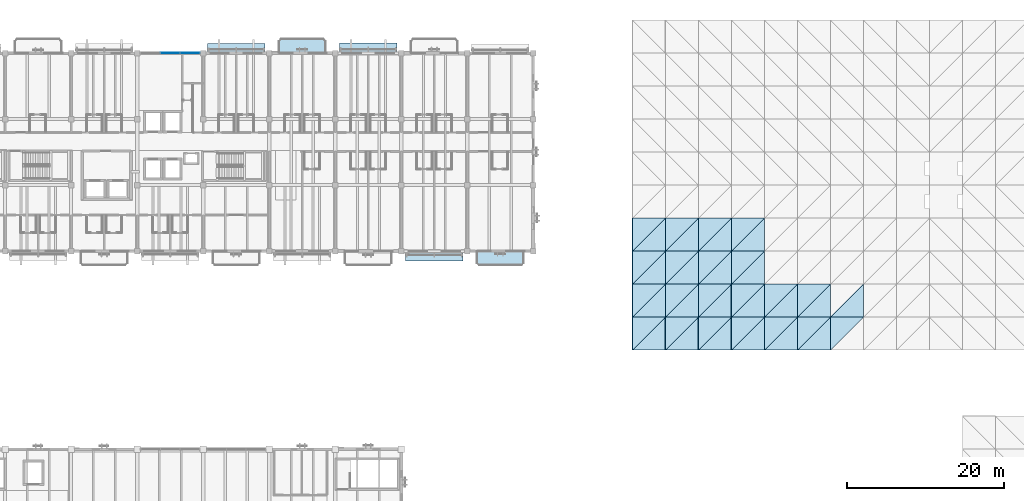
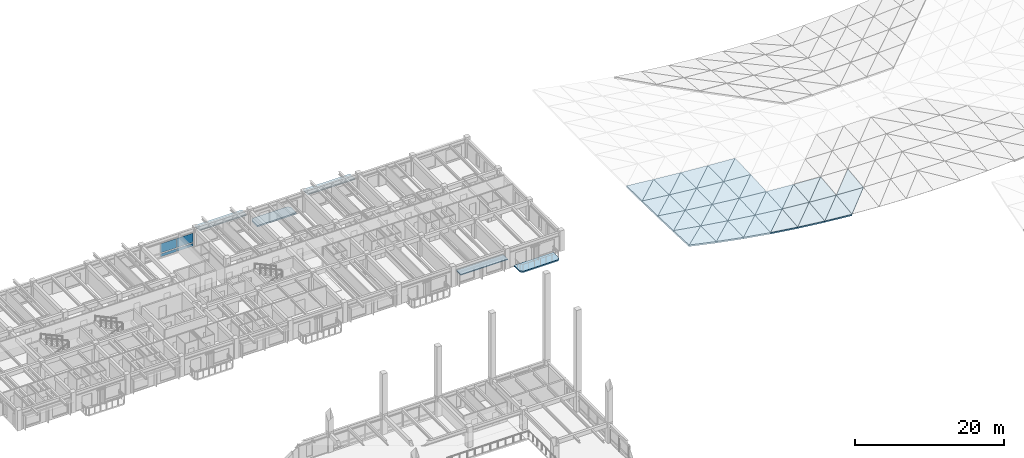
# One storey, part 18 of 64: 44 slabs, 7 plates, 4 elements without a shape of their own.
"""IFC4 building model written with IfcOpenShell, lengths in metres."""

from ifc_helpers import new_model, si_unit, direction, frame, origin, origin_2d, place, context, subcontext, project, spatial, polyline, rectangle, outline, extrude, material, layer, layer_set, type_object, element, aggregate, save


model = new_model("IFC4")

# Units and contexts
model_context = context("Model", 3, precision=1e-05, world=origin(), true_north=direction((0.0, 1.0)))
body_context = subcontext(model_context, "Body", "Model", "MODEL_VIEW")
ifc_project = project(units=[si_unit("LENGTHUNIT", "METRE"), si_unit("AREAUNIT", "SQUARE_METRE"), si_unit("VOLUMEUNIT", "CUBIC_METRE"), si_unit("PLANEANGLEUNIT", "RADIAN"), si_unit("MASSUNIT", "GRAM", prefix="KILO")], contexts=[model_context])

# Site, building, storey
site_placement = place(None, origin())
site = spatial("IfcSite", under=ifc_project, at=site_placement, CompositionType="ELEMENT")
building_placement = place(site_placement, origin())
building = spatial("IfcBuilding", under=site, at=building_placement, Name="Cumbredor Promenade Congress Hotel", CompositionType="ELEMENT")
storey_placement = place(building_placement, frame((0.0, 0.0, 18.47998046875)))
storey = spatial("IfcBuildingStorey", under=building, at=storey_placement, Name="L05", CompositionType="ELEMENT", Elevation=18.47998046875)

# Slabs
ifc_material_1 = material(Name="Concrete C40/50", Category="concrete")
ifc_layer_1 = layer(ifc_material_1, 0.215087890625, Name="Concrete C40/50", Category="concrete")
ifc_layer_set_1 = layer_set([ifc_layer_1], Name="Concrete C40/50")
slab_type_1 = type_object("IfcSlabType", Name="Cantilevered Guestroom Balcony Slab 215mm", PredefinedType="FLOOR", material=ifc_layer_set_1)
slab_1_placement = place(storey_placement, frame((0.0, 0.0, -0.215087890625)))
element("IfcSlab", 1, at=slab_1_placement, inside=storey, type_object=slab_type_1, Name="L05 Cantilevered Guestroom Veranda Balcony 027", PredefinedType="FLOOR", context=body_context, shape_type="SweptSolid", body=[
    extrude(outline(polyline([(51.550048828125, 117.60009765625), (57.64990234375, 117.60009765625), (57.64990234375, 119.10009765625), (57.300048828125, 119.449951171875), (51.89990234375, 119.449951171875), (51.550048828125, 119.10009765625), (51.550048828125, 117.60009765625)])), origin(), (0.0, 0.0, 1.0), 0.215087890625),
])
slab_2_placement = place(storey_placement, frame((0.0, 0.0, -0.215087890625)))
element("IfcSlab", 2, at=slab_2_placement, inside=storey, type_object=slab_type_1, Name="L05 Cantilevered Guestroom Veranda Balcony 033", PredefinedType="FLOOR", context=body_context, shape_type="SweptSolid", body=[
    extrude(outline(polyline([(77.10009765625, 90.550048828125), (82.5, 90.550048828125), (82.85009765625, 90.89990234375), (82.85009765625, 92.39990234375), (76.75, 92.39990234375), (76.75, 90.89990234375), (77.10009765625, 90.550048828125)])), origin(), (0.0, 0.0, 1.0), 0.215087890625),
])
ifc_layer_2 = layer(ifc_material_1, 0.25, Name="Concrete C40/50", Category="concrete")
ifc_layer_set_2 = layer_set([ifc_layer_2], Name="Concrete C40/50")
slab_type_2 = type_object("IfcSlabType", Name="Catenary Space Frame Roof Deck 250mm", PredefinedType="ROOF", material=ifc_layer_set_2)
slab_3_placement = place(storey_placement, frame((96.60009765625, 79.800048828125, 4.00439453125), z_axis=(0.209346621689, 0.000397889316, 0.9778414154), x_axis=(0.977841492804, 0.0, -0.209346638261)))
element("IfcSlab", 3, at=slab_3_placement, inside=storey, type_object=slab_type_2, Name="Pre-Function and Breakout Meeting Forum Sweeping Roof Deck Facet 3.1.1", PredefinedType="ROOF", context=body_context, shape_type="SweptSolid", body=[
    extrude(outline(polyline([(0.0, 0.0), (4.295124723979372, 0.0), (4.295482494113118, 4.199951504334581), (0.0, 0.0)])), origin(), (0.0, 0.0, -1.0), 0.25),
])
slab_4_placement = place(storey_placement, frame((96.60009765625, 79.800048828125, 4.00439453125), z_axis=(0.168190640377, 0.043049476366, 0.98481401852), x_axis=(0.699111124107, 0.699111124107, -0.149957568329)))
element("IfcSlab", 4, at=slab_4_placement, inside=storey, type_object=slab_type_2, Name="Pre-Function and Breakout Meeting Forum Sweeping Roof Deck Facet 3.1.2", PredefinedType="ROOF", context=body_context, shape_type="SweptSolid", body=[
    extrude(outline(polyline([(0.0, 0.0), (6.0075587800698695, -1.8041124150158794e-16), (2.963763857275392, 2.981509736606832), (0.0, 0.0)])), origin(), (0.0, 0.0, -1.0), 0.25),
])
slab_5_placement = place(storey_placement, frame((96.60009765625, 84.0, 3.82080078125), z_axis=(0.168346703189, 0.000229199051, 0.985727819935), x_axis=(0.985727845826, 0.0, -0.168346707611)))
element("IfcSlab", 5, at=slab_5_placement, inside=storey, type_object=slab_type_2, Name="Pre-Function and Breakout Meeting Forum Sweeping Roof Deck Facet 3.2.1", PredefinedType="ROOF", context=body_context, shape_type="SweptSolid", body=[
    extrude(outline(polyline([(0.0, 0.0), (4.260761415699167, 2.710505431213761e-20), (4.260925816780819, 4.199951282191353), (0.0, 0.0)])), origin(), (0.0, 0.0, -1.0), 0.25),
])
slab_6_placement = place(storey_placement, frame((96.60009765625, 84.0, 3.82080078125), z_axis=(0.135665853434, 0.033671838888, 0.990182298104), x_axis=(0.70199266644, 0.70199266644, -0.120052457401)))
element("IfcSlab", 6, at=slab_6_placement, inside=storey, type_object=slab_type_2, Name="Pre-Function and Breakout Meeting Forum Sweeping Roof Deck Facet 3.2.2", PredefinedType="ROOF", context=body_context, shape_type="SweptSolid", body=[
    extrude(outline(polyline([(0.0, 0.0), (5.9828989285203615, -2.498001805406602e-16), (2.965481086023563, 2.9775677950516855), (0.0, 0.0)])), origin(), (0.0, 0.0, -1.0), 0.25),
])
slab_7_placement = place(storey_placement, frame((96.60009765625, 88.199951171875, 3.677978515625), z_axis=(0.135742825348, 0.000172774067, 0.99074409184), x_axis=(0.990744106627, 0.0, -0.135742827374)))
element("IfcSlab", 7, at=slab_7_placement, inside=storey, type_object=slab_type_2, Name="Pre-Function and Breakout Meeting Forum Sweeping Roof Deck Facet 3.3.1", PredefinedType="ROOF", context=body_context, shape_type="SweptSolid", body=[
    extrude(outline(polyline([(0.0, 0.0), (4.23918865000686, 0.0), (4.239288071023004, 4.199951234561117), (0.0, 0.0)])), origin(), (0.0, 0.0, -1.0), 0.25),
])
slab_8_placement = place(storey_placement, frame((96.60009765625, 88.199951171875, 3.677978515625), z_axis=(0.112142114967, 0.024137695189, 0.993398972076), x_axis=(0.703803171177, 0.703803171177, -0.096551501713)))
element("IfcSlab", 8, at=slab_8_placement, inside=storey, type_object=slab_type_2, Name="Pre-Function and Breakout Meeting Forum Sweeping Roof Deck Facet 3.3.2", PredefinedType="ROOF", context=body_context, shape_type="SweptSolid", body=[
    extrude(outline(polyline([(0.0, 0.0), (5.967508166882504, 6.938893903907228e-17), (2.9657921097338114, 2.9755808458061743), (0.0, 0.0)])), origin(), (0.0, 0.0, -1.0), 0.25),
])
slab_9_placement = place(storey_placement, frame((96.60009765625, 92.39990234375, 3.575927734375), z_axis=(0.112174797087, 0.000115518308, 0.993688483155), x_axis=(0.993688489785, 0.0, -0.112174797835)))
element("IfcSlab", 9, at=slab_9_placement, inside=storey, type_object=slab_type_2, Name="Pre-Function and Breakout Meeting Forum Sweeping Roof Deck Facet 3.4.1", PredefinedType="ROOF", context=body_context, shape_type="SweptSolid", body=[
    extrude(outline(polyline([(0.0, 0.0), (4.226627574990832, 0.0), (4.226682347841337, 4.2001953405247106), (0.0, 0.0)])), origin(), (0.0, 0.0, -1.0), 0.25),
])
slab_10_placement = place(storey_placement, frame((96.60009765625, 92.39990234375, 3.575927734375), z_axis=(0.097986978492, 0.014460047653, 0.995082639316), x_axis=(0.70483977439, 0.704880746301, -0.079649393793)))
element("IfcSlab", 10, at=slab_10_placement, inside=storey, type_object=slab_type_2, Name="Pre-Function and Breakout Meeting Forum Sweeping Roof Deck Facet 3.4.2", PredefinedType="ROOF", context=body_context, shape_type="SweptSolid", body=[
    extrude(outline(polyline([(0.0, 0.0), (5.95873179192679, 4.753142324176451e-16), (2.965498219679715, 2.975094328340175), (0.0, 0.0)])), origin(), (0.0, 0.0, -1.0), 0.25),
])
slab_11_placement = place(storey_placement, frame((100.800048828125, 79.800048828125, 3.105224609375), z_axis=(0.185508201988, -0.037215799291, 0.981937722709), x_axis=(0.982618429472, 0.0, -0.185636801476)))
element("IfcSlab", 11, at=slab_11_placement, inside=storey, type_object=slab_type_2, Name="Pre-Function and Breakout Meeting Forum Sweeping Roof Deck Facet 4.1.1", PredefinedType="ROOF", context=body_context, shape_type="SweptSolid", body=[
    extrude(outline(polyline([(0.0, 0.0), (4.274244249756237, 0.0), (4.24469464170886, 4.202862695795693), (0.0, 0.0)])), origin(), (0.0, 0.0, -1.0), 0.25),
])
slab_12_placement = place(storey_placement, frame((100.800048828125, 79.800048828125, 3.105224609375), z_axis=(0.148933495384, 0.000402367606, 0.988847132803), x_axis=(0.703109176674, 0.703109176674, -0.106183668023)))
element("IfcSlab", 12, at=slab_12_placement, inside=storey, type_object=slab_type_2, Name="Pre-Function and Breakout Meeting Forum Sweeping Roof Deck Facet 4.1.2", PredefinedType="ROOF", context=body_context, shape_type="SweptSolid", body=[
    extrude(outline(polyline([(0.0, 0.0), (5.973398315955745, -2.636779683484747e-16), (2.9532056767558053, 2.98633035639714), (0.0, 0.0)])), origin(), (0.0, 0.0, -1.0), 0.25),
])
slab_13_placement = place(storey_placement, frame((100.800048828125, 84.0, 3.103515625), z_axis=(0.148870302384, -0.029130545469, 0.988427561528), x_axis=(0.98884721285, 0.0, -0.14893350744)))
element("IfcSlab", 13, at=slab_13_placement, inside=storey, type_object=slab_type_2, Name="Pre-Function and Breakout Meeting Forum Sweeping Roof Deck Facet 4.2.1", PredefinedType="ROOF", context=body_context, shape_type="SweptSolid", body=[
    extrude(outline(polyline([(0.0, 0.0), (4.247320634872833, 0.0), (4.22888575004075, 4.201734322335277), (0.0, 0.0)])), origin(), (0.0, 0.0, -1.0), 0.25),
])
slab_14_placement = place(storey_placement, frame((100.800048828125, 84.0, 3.103515625), z_axis=(0.12003492741, 0.000230836399, 0.992769642423), x_axis=(0.704526719819, 0.704526719819, -0.085347537296)))
element("IfcSlab", 14, at=slab_14_placement, inside=storey, type_object=slab_type_2, Name="Pre-Function and Breakout Meeting Forum Sweeping Roof Deck Facet 4.2.2", PredefinedType="ROOF", context=body_context, shape_type="SweptSolid", body=[
    extrude(outline(polyline([(0.0, 0.0), (5.961379538528646, -2.0816681711721685e-16), (2.9590611697249636, 2.9805281064996576), (0.0, 0.0)])), origin(), (0.0, 0.0, -1.0), 0.25),
])
slab_15_placement = place(storey_placement, frame((100.800048828125, 88.199951171875, 3.1025390625), z_axis=(0.120008746289, -0.020886137575, 0.992553106927), x_axis=(0.992769668873, 0.0, -0.120034930608)))
element("IfcSlab", 15, at=slab_15_placement, inside=storey, type_object=slab_type_2, Name="Pre-Function and Breakout Meeting Forum Sweeping Roof Deck Facet 4.3.1", PredefinedType="ROOF", context=body_context, shape_type="SweptSolid", body=[
    extrude(outline(polyline([(0.0, 0.0), (4.230539372383909, 0.0), (4.219930816504948, 4.200867545608442), (0.0, 0.0)])), origin(), (0.0, 0.0, -1.0), 0.25),
])
slab_16_placement = place(storey_placement, frame((100.800048828125, 88.199951171875, 3.1025390625), z_axis=(0.099200182042, 0.000173528015, 0.995067482019), x_axis=(0.705350304462, 0.705350304462, -0.070440726796)))
element("IfcSlab", 16, at=slab_16_placement, inside=storey, type_object=slab_type_2, Name="Pre-Function and Breakout Meeting Forum Sweeping Roof Deck Facet 4.3.2", PredefinedType="ROOF", context=body_context, shape_type="SweptSolid", body=[
    extrude(outline(polyline([(0.0, 0.0), (5.954418882799095, -1.97758476261356e-16), (2.9624884301356165, 2.9771215433516653), (0.0, 0.0)])), origin(), (0.0, 0.0, -1.0), 0.25),
])
slab_17_placement = place(storey_placement, frame((100.800048828125, 92.39990234375, 3.101806640625), z_axis=(0.099192298749, -0.012607967472, 0.994988405473), x_axis=(0.995067497, 0.0, -0.099200183535)))
element("IfcSlab", 17, at=slab_17_placement, inside=storey, type_object=slab_type_2, Name="Pre-Function and Breakout Meeting Forum Sweeping Roof Deck Facet 4.4.1", PredefinedType="ROOF", context=body_context, shape_type="SweptSolid", body=[
    extrude(outline(polyline([(0.0, 0.0), (4.220770133217833, 0.0), (4.2154904359496035, 4.200529185600552), (0.0, 0.0)])), origin(), (0.0, 0.0, -1.0), 0.25),
])
slab_18_placement = place(storey_placement, frame((100.800048828125, 92.39990234375, 3.101806640625), z_axis=(0.086577137099, 0.000115815525, 0.996245143486), x_axis=(0.705751506093, 0.705792531002, -0.061414288474)))
element("IfcSlab", 18, at=slab_18_placement, inside=storey, type_object=slab_type_2, Name="Pre-Function and Breakout Meeting Forum Sweeping Roof Deck Facet 4.4.2", PredefinedType="ROOF", context=body_context, shape_type="SweptSolid", body=[
    extrude(outline(polyline([(0.0, 0.0), (5.95103394837104, 2.7755575615628914e-16), (2.964496467757922, 2.9754666178964864), (0.0, 0.0)])), origin(), (0.0, 0.0, -1.0), 0.25),
])
slab_19_placement = place(storey_placement, frame((105.0, 79.800048828125, 2.311767578125), z_axis=(0.161202032939, -0.069985831127, 0.984436838003), x_axis=(0.986856624724, 0.0, -0.161598274246)))
element("IfcSlab", 19, at=slab_19_placement, inside=storey, type_object=slab_type_2, Name="Pre-Function and Breakout Meeting Forum Sweeping Roof Deck Facet 5.1.1", PredefinedType="ROOF", context=body_context, shape_type="SweptSolid", body=[
    extrude(outline(polyline([(0.0, 0.0), (4.255887903727988, 6.938893903907228e-18), (4.207637247135624, 4.210274826658925), (0.0, 0.0)])), origin(), (0.0, 0.0, -1.0), 0.25),
])
slab_20_placement = place(storey_placement, frame((105.0, 79.800048828125, 2.311767578125), z_axis=(0.129368602084, -0.037554910311, 0.990885156568), x_axis=(0.705593924591, 0.705593924591, -0.0653791034)))
element("IfcSlab", 20, at=slab_20_placement, inside=storey, type_object=slab_type_2, Name="Pre-Function and Breakout Meeting Forum Sweeping Roof Deck Facet 5.1.2", PredefinedType="ROOF", context=body_context, shape_type="SweptSolid", body=[
    extrude(outline(polyline([(0.0, 0.0), (5.952363002999809, -1.942890293094024e-16), (2.9530530052041972, 2.9907199747721704), (0.0, 0.0)])), origin(), (0.0, 0.0, -1.0), 0.25),
])
slab_21_placement = place(storey_placement, frame((105.0, 84.0, 2.470947265625), z_axis=(0.129266272688, -0.054676295215, 0.990101375359), x_axis=(0.991584654556, 0.0, -0.129459927579)))
element("IfcSlab", 21, at=slab_21_placement, inside=storey, type_object=slab_type_2, Name="Pre-Function and Breakout Meeting Forum Sweeping Roof Deck Facet 5.2.1", PredefinedType="ROOF", context=body_context, shape_type="SweptSolid", body=[
    extrude(outline(polyline([(0.0, 0.0), (4.235595168376927, -3.469446951953614e-18), (4.205569062127026, 4.2062431540494005), (0.0, 0.0)])), origin(), (0.0, 0.0, -1.0), 0.25),
])
slab_22_placement = place(storey_placement, frame((105.0, 84.0, 2.470947265625), z_axis=(0.104191620878, -0.029298475755, 0.994125598432), x_axis=(0.706105621102, 0.706105621102, -0.053194959306)))
element("IfcSlab", 22, at=slab_22_placement, inside=storey, type_object=slab_type_2, Name="Pre-Function and Breakout Meeting Forum Sweeping Roof Deck Facet 5.2.2", PredefinedType="ROOF", context=body_context, shape_type="SweptSolid", body=[
    extrude(outline(polyline([(0.0, 0.0), (5.948049479224886, -1.249000902703301e-16), (2.959024696155674, 2.9831332534786106), (0.0, 0.0)])), origin(), (0.0, 0.0, -1.0), 0.25),
])
slab_23_placement = place(storey_placement, frame((105.0, 88.199951171875, 2.5947265625), z_axis=(0.104156150302, -0.039224640075, 0.993787162307), x_axis=(0.99455255237, 0.0, -0.104236368768)))
element("IfcSlab", 23, at=slab_23_placement, inside=storey, type_object=slab_type_2, Name="Pre-Function and Breakout Meeting Forum Sweeping Roof Deck Facet 5.3.1", PredefinedType="ROOF", context=body_context, shape_type="SweptSolid", body=[
    extrude(outline(polyline([(0.0, 0.0), (4.222955500808863, 3.469446951953614e-18), (4.205676083232259, 4.203185869420277), (0.0, 0.0)])), origin(), (0.0, 0.0, -1.0), 0.25),
])
slab_24_placement = place(storey_placement, frame((105.0, 88.199951171875, 2.5947265625), z_axis=(0.086040902939, -0.020960166126, 0.996071099098), x_axis=(0.706353330755, 0.706353330755, -0.046151319175)))
element("IfcSlab", 24, at=slab_24_placement, inside=storey, type_object=slab_type_2, Name="Pre-Function and Breakout Meeting Forum Sweeping Roof Deck Facet 5.3.2", PredefinedType="ROOF", context=body_context, shape_type="SweptSolid", body=[
    extrude(outline(polyline([(0.0, 0.0), (5.945963569512188, -7.632783294297951e-17), (2.9625706961531204, 2.978351145768233), (0.0, 0.0)])), origin(), (0.0, 0.0, -1.0), 0.25),
])
slab_25_placement = place(storey_placement, frame((105.0, 92.39990234375, 2.68310546875), z_axis=(0.086035797656, -0.023620837866, 0.996011996685), x_axis=(0.996289972461, 0.0, -0.086059809282)))
element("IfcSlab", 25, at=slab_25_placement, inside=storey, type_object=slab_type_2, Name="Pre-Function and Breakout Meeting Forum Sweeping Roof Deck Facet 5.4.1", PredefinedType="ROOF", context=body_context, shape_type="SweptSolid", body=[
    extrude(outline(polyline([(0.0, 0.0), (4.215591131064376, 1.734723475976807e-18), (4.207018767249184, 4.201367539898584), (0.0, 0.0)])), origin(), (0.0, 0.0, -1.0), 0.25),
])
slab_26_placement = place(storey_placement, frame((105.0, 92.39990234375, 2.68310546875), z_axis=(0.075116823986, -0.012634657244, 0.997094693693), x_axis=(0.706393159176, 0.706434221383, -0.044265059908)))
element("IfcSlab", 26, at=slab_26_placement, inside=storey, type_object=slab_type_2, Name="Pre-Function and Breakout Meeting Forum Sweeping Roof Deck Facet 5.4.2", PredefinedType="ROOF", context=body_context, shape_type="SweptSolid", body=[
    extrude(outline(polyline([(0.0, 0.0), (5.9456283194714015, -1.9081958235744878e-16), (2.9648058011761775, 2.9756343652400177), (0.0, 0.0)])), origin(), (0.0, 0.0, -1.0), 0.25),
])
slab_27_placement = place(storey_placement, frame((109.199951171875, 79.800048828125, 1.6240234375), z_axis=(0.136555679949, -0.097703497404, 0.985802501959), x_axis=(0.990541681373, 0.0, -0.137212162222)))
element("IfcSlab", 27, at=slab_27_placement, inside=storey, type_object=slab_type_2, Name="Pre-Function and Breakout Meeting Forum Sweeping Roof Deck Facet 6.1.1", PredefinedType="ROOF", context=body_context, shape_type="SweptSolid", body=[
    extrude(outline(polyline([(0.0, 0.0), (4.240054962706156, 6.938893903907228e-18), (4.182939060218534, 4.220142155460572), (0.0, 0.0)])), origin(), (0.0, 0.0, -1.0), 0.25),
])
slab_28_placement = place(storey_placement, frame((109.199951171875, 79.800048828125, 1.6240234375), z_axis=(0.109562220484, -0.070486373304, 0.991477579687), x_axis=(0.706832356522, 0.706832356522, -0.027857486353)))
element("IfcSlab", 28, at=slab_28_placement, inside=storey, type_object=slab_type_2, Name="Pre-Function and Breakout Meeting Forum Sweeping Roof Deck Facet 6.1.2", PredefinedType="ROOF", context=body_context, shape_type="SweptSolid", body=[
    extrude(outline(polyline([(0.0, 0.0), (5.9419339439106285, -8.326672684688674e-17), (2.960343584825768, 2.994179036337065), (0.0, 0.0)])), origin(), (0.0, 0.0, -1.0), 0.25),
])
slab_29_placement = place(storey_placement, frame((109.199951171875, 84.0, 1.922607421875), z_axis=(0.109514477302, -0.076389372384, 0.99104553026), x_axis=(0.993949788889, 0.0, -0.109835409445)))
element("IfcSlab", 29, at=slab_29_placement, inside=storey, type_object=slab_type_2, Name="Pre-Function and Breakout Meeting Forum Sweeping Roof Deck Facet 6.2.1", PredefinedType="ROOF", context=body_context, shape_type="SweptSolid", body=[
    extrude(outline(polyline([(0.0, 0.0), (4.2255164383810095, 1.3877787807814457e-17), (4.189959369796121, 4.212259127523488), (0.0, 0.0)])), origin(), (0.0, 0.0, -1.0), 0.25),
])
slab_30_placement = place(storey_placement, frame((109.199951171875, 84.0, 1.922607421875), z_axis=(0.088167769645, -0.054924184369, 0.994590256521), x_axis=(0.706909370608, 0.706909370608, -0.02362802349)))
element("IfcSlab", 30, at=slab_30_placement, inside=storey, type_object=slab_type_2, Name="Pre-Function and Breakout Meeting Forum Sweeping Roof Deck Facet 6.2.2", PredefinedType="ROOF", context=body_context, shape_type="SweptSolid", body=[
    extrude(outline(polyline([(0.0, 0.0), (5.941286601229336, -2.6020852139652106e-17), (2.963504707091977, 2.9851336467715606), (0.0, 0.0)])), origin(), (0.0, 0.0, -1.0), 0.25),
])
slab_31_placement = place(storey_placement, frame((109.199951171875, 88.199951171875, 2.154541015625), z_axis=(0.088168608244, -0.054751260333, 0.994599716475), x_axis=(0.996093832538, 0.0, -0.088301057642)))
element("IfcSlab", 31, at=slab_31_placement, inside=storey, type_object=slab_type_2, Name="Pre-Function and Breakout Meeting Forum Sweeping Roof Deck Facet 6.3.1", PredefinedType="ROOF", context=body_context, shape_type="SweptSolid", body=[
    extrude(outline(polyline([(0.0, 0.0), (4.216421219249798, 0.0), (4.1960059112451065, 4.20626045831801), (0.0, 0.0)])), origin(), (0.0, 0.0, -1.0), 0.25),
])
slab_32_placement = place(storey_placement, frame((109.199951171875, 88.199951171875, 2.154541015625), z_axis=(0.072817973247, -0.039334450147, 0.996569287006), x_axis=(0.706907306171, 0.706907306171, -0.023751230772)))
element("IfcSlab", 32, at=slab_32_placement, inside=storey, type_object=slab_type_2, Name="Pre-Function and Breakout Meeting Forum Sweeping Roof Deck Facet 6.3.2", PredefinedType="ROOF", context=body_context, shape_type="SweptSolid", body=[
    extrude(outline(polyline([(0.0, 0.0), (5.941303952030524, 6.938893903907228e-17), (2.9650388921805235, 2.9791969386099635), (0.0, 0.0)])), origin(), (0.0, 0.0, -1.0), 0.25),
])
slab_33_placement = place(storey_placement, frame((109.199951171875, 92.39990234375, 2.3203125), z_axis=(0.0728347571, -0.032967834427, 0.996798986783), x_axis=(0.997341128252, 0.0, -0.072874370645)))
element("IfcSlab", 33, at=slab_33_placement, inside=storey, type_object=slab_type_2, Name="Pre-Function and Breakout Meeting Forum Sweeping Roof Deck Facet 6.4.1", PredefinedType="ROOF", context=body_context, shape_type="SweptSolid", body=[
    extrude(outline(polyline([(0.0, 0.0), (4.211148074516841, 0.0), (4.201024657305603, 4.2024797249919095), (0.0, 0.0)])), origin(), (0.0, 0.0, -1.0), 0.25),
])
slab_34_placement = place(storey_placement, frame((109.199951171875, 92.39990234375, 2.3203125), z_axis=(0.063563113281, -0.023660805468, 0.997697297237), x_axis=(0.70680367967, 0.706844765741, -0.028267216858)))
element("IfcSlab", 34, at=slab_34_placement, inside=storey, type_object=slab_type_2, Name="Pre-Function and Breakout Meeting Forum Sweeping Roof Deck Facet 6.4.2", PredefinedType="ROOF", context=body_context, shape_type="SweptSolid", body=[
    extrude(outline(polyline([(0.0, 0.0), (5.942175023529493, 3.174543961037557e-16), (2.966070391927167, 2.975565344748438), (0.0, 0.0)])), origin(), (0.0, 0.0, -1.0), 0.25),
])
slab_35_placement = place(storey_placement, frame((113.39990234375, 79.800048828125, 1.042236328125), z_axis=(0.111749272645, -0.120356776918, 0.986420978241), x_axis=(0.993644073338, 0.0, -0.112567559808)))
element("IfcSlab", 35, at=slab_35_placement, inside=storey, type_object=slab_type_2, Name="Pre-Function and Breakout Meeting Forum Sweeping Roof Deck Facet 7.1.1", PredefinedType="ROOF", context=body_context, shape_type="SweptSolid", body=[
    extrude(outline(polyline([(0.0, 0.0), (4.227062209903637, 6.938893903907228e-18), (4.169376831964974, 4.230705431350937), (0.0, 0.0)])), origin(), (0.0, 0.0, -1.0), 0.25),
])
slab_36_placement = place(storey_placement, frame((113.39990234375, 79.800048828125, 1.042236328125), z_axis=(0.089583631267, -0.098230848875, 0.991123339115), x_axis=(0.707113892913, 0.707072791199, 0.006165257146)))
element("IfcSlab", 36, at=slab_36_placement, inside=storey, type_object=slab_type_2, Name="Pre-Function and Breakout Meeting Forum Sweeping Roof Deck Facet 7.1.2", PredefinedType="ROOF", context=body_context, shape_type="SweptSolid", body=[
    extrude(outline(polyline([(0.0, 0.0), (5.939913434873324, -8.847089727481716e-16), (2.9722375464907773, 2.9964422246796034), (0.0, 0.0)])), origin(), (0.0, 0.0, -1.0), 0.25),
])
slab_37_placement = place(storey_placement, frame((113.39990234375, 84.0, 1.45849609375), z_axis=(0.089619385253, -0.094120233611, 0.991518909256), x_axis=(0.995940048742, 0.0, -0.090018994175)))
element("IfcSlab", 37, at=slab_37_placement, inside=storey, type_object=slab_type_2, Name="Pre-Function and Breakout Meeting Forum Sweeping Roof Deck Facet 7.2.1", PredefinedType="ROOF", context=body_context, shape_type="SweptSolid", body=[
    extrude(outline(polyline([(0.0, 0.0), (4.217317415648244, -6.938893903907228e-18), (4.181428495362988, 4.218678570607908), (0.0, 0.0)])), origin(), (0.0, 0.0, -1.0), 0.25),
])
slab_38_placement = place(storey_placement, frame((113.39990234375, 84.0, 1.45849609375), z_axis=(0.072138294418, -0.076651393259, 0.994444885547), x_axis=(0.707123698094, 0.70708259581, 0.003205978171)))
element("IfcSlab", 38, at=slab_38_placement, inside=storey, type_object=slab_type_2, Name="Pre-Function and Breakout Meeting Forum Sweeping Roof Deck Facet 7.2.2", PredefinedType="ROOF", context=body_context, shape_type="SweptSolid", body=[
    extrude(outline(polyline([(0.0, 0.0), (5.939831070320096, 4.0766001685454967e-17), (2.970750249700804, 2.986475216109101), (0.0, 0.0)])), origin(), (0.0, 0.0, -1.0), 0.25),
])
slab_39_placement = place(storey_placement, frame((117.60009765625, 79.800048828125, 0.56640625), z_axis=(0.087000458678, -0.138042257112, 0.986597818486), x_axis=(0.996134471083, 0.0, -0.087841422579)))
element("IfcSlab", 39, at=slab_39_placement, inside=storey, type_object=slab_type_2, Name="Pre-Function and Breakout Meeting Forum Sweeping Roof Deck Facet 8.1.1", PredefinedType="ROOF", context=body_context, shape_type="SweptSolid", body=[
    extrude(outline(polyline([(0.0, 0.0), (4.216249205099801, 0.0), (4.164629501938549, 4.240548743143749), (0.0, 0.0)])), origin(), (0.0, 0.0, -1.0), 0.25),
])
slab_40_placement = place(storey_placement, frame((117.60009765625, 79.800048828125, 0.56640625), z_axis=(0.069591947632, -0.120821751926, 0.990231823911), x_axis=(0.70663410795, 0.70663410795, 0.036557830383)))
element("IfcSlab", 40, at=slab_40_placement, inside=storey, type_object=slab_type_2, Name="Pre-Function and Breakout Meeting Forum Sweeping Roof Deck Facet 8.1.2", PredefinedType="ROOF", context=body_context, shape_type="SweptSolid", body=[
    extrude(outline(polyline([(0.0, 0.0), (5.943600973433106, 2.983724378680108e-16), (2.986562852793995, 2.9971049991618983), (0.0, 0.0)])), origin(), (0.0, 0.0, -1.0), 0.25),
])
slab_41_placement = place(storey_placement, frame((117.60009765625, 84.0, 1.078857421875), z_axis=(0.069696106028, -0.107916551269, 0.991713905704), x_axis=(0.997539580824, 0.0, -0.070105525386)))
element("IfcSlab", 41, at=slab_41_placement, inside=storey, type_object=slab_type_2, Name="Pre-Function and Breakout Meeting Forum Sweeping Roof Deck Facet 8.2.1", PredefinedType="ROOF", context=body_context, shape_type="SweptSolid", body=[
    extrude(outline(polyline([(0.0, 0.0), (4.210310300074583, 0.0), (4.178269884175492, 4.22462315731945), (0.0, 0.0)])), origin(), (0.0, 0.0, -1.0), 0.25),
])
slab_42_placement = place(storey_placement, frame((117.60009765625, 84.0, 1.078857421875), z_axis=(0.056044951003, -0.094351963906, 0.993960094961), x_axis=(0.706844358201, 0.706844358201, 0.027241632825)))
element("IfcSlab", 42, at=slab_42_placement, inside=storey, type_object=slab_type_2, Name="Pre-Function and Breakout Meeting Forum Sweeping Roof Deck Facet 8.2.2", PredefinedType="ROOF", context=body_context, shape_type="SweptSolid", body=[
    extrude(outline(polyline([(0.0, 0.0), (5.9418330544006075, -6.938893903907228e-18), (2.9795725294272675, 2.9867514859104074), (0.0, 0.0)])), origin(), (0.0, 0.0, -1.0), 0.25),
])
slab_43_placement = place(storey_placement, frame((121.800048828125, 79.800048828125, 0.196044921875), z_axis=(0.049677874102, -0.138396577503, 0.989130171494), x_axis=(0.705688897227, 0.705688897227, 0.063295818661)))
element("IfcSlab", 43, at=slab_43_placement, inside=storey, type_object=slab_type_2, Name="Pre-Function and Breakout Meeting Forum Sweeping Roof Deck Facet 9.1.2", PredefinedType="ROOF", context=body_context, shape_type="SweptSolid", body=[
    extrude(outline(polyline([(0.0, 0.0), (5.951561925341719, 2.8449465006019636e-16), (3.0010544762010722, 2.9964295866257222), (0.0, 0.0)])), origin(), (0.0, 0.0, -1.0), 0.25),
])
slab_44_placement = place(storey_placement, frame((121.800048828125, 84.0, 0.78369140625), z_axis=(0.049811423352, -0.117783261468, 0.99178925454), x_axis=(0.998741166039, 0.0, -0.050160574752)))
element("IfcSlab", 44, at=slab_44_placement, inside=storey, type_object=slab_type_2, Name="Pre-Function and Breakout Meeting Forum Sweeping Roof Deck Facet 9.2.1", PredefinedType="ROOF", context=body_context, shape_type="SweptSolid", body=[
    extrude(outline(polyline([(0.0, 0.0), (4.205244876941228, 0.0), (4.180225820735612, 4.2293905802079665), (0.0, 0.0)])), origin(), (0.0, 0.0, -1.0), 0.25),
])

# Curtain wall, plates
ifc_material_2 = material(Name="Thermally broken anodized aluminium and low-E glass", Category="aluminium")
curtain_wall_type_1 = type_object("IfcCurtainWallType", Name="Unitised Bronze Curtain Wall CW-01", PredefinedType="NOTDEFINED", material=ifc_material_2)
curtain_wall_1_placement = place(storey_placement, origin())
curtain_wall_1 = element("IfcCurtainWall", 45, at=curtain_wall_1_placement, inside=storey, type_object=curtain_wall_type_1, Name="L05 Stepped Congress Hotel Wing North Curtain Wall 5", PredefinedType="NOTDEFINED")
ifc_material_3 = material(Name="Laminated low-E solar-control glass", Category="glass")
ifc_layer_3 = layer(ifc_material_3, 0.028076171875, Name="Laminated low-E solar-control glass", Category="glass")
ifc_layer_set_3 = layer_set([ifc_layer_3], Name="Laminated low-E solar-control glass")
plate_type_1 = type_object("IfcPlateType", Name="Glazed Vision Panel PNL-03", PredefinedType="CURTAIN_PANEL", material=ifc_layer_set_3)
plate_1_placement = place(storey_placement, frame((37.800048828125, 117.60009765625, 0.81005859375), z_axis=(0.0, 0.0, 1.0), x_axis=(1.0, 0.0, 0.0)))
plate_1 = element("IfcPlate", 46, at=plate_1_placement, type_object=plate_type_1, Name="L05 Stepped Congress Hotel Wing North Curtain Wall 5 Glazing Panel 2.2", PredefinedType="CURTAIN_PANEL", context=body_context, shape_type="SweptSolid", body=[
    extrude(rectangle(XDim=2.449951171875, YDim=0.028076171875, at=origin_2d()), origin(), (0.0, 0.0, 1.0), 1.5),
])
plate_2_placement = place(storey_placement, frame((40.330078125, 117.60009765625, 0.81005859375), z_axis=(0.0, 0.0, 1.0), x_axis=(1.0, 0.0, 0.0)))
plate_2 = element("IfcPlate", 47, at=plate_2_placement, type_object=plate_type_1, Name="L05 Stepped Congress Hotel Wing North Curtain Wall 5 Glazing Panel 3.2", PredefinedType="CURTAIN_PANEL", context=body_context, shape_type="SweptSolid", body=[
    extrude(rectangle(XDim=2.449951171875, YDim=0.028076171875, at=origin_2d()), origin(), (0.0, 0.0, 1.0), 1.5),
])

# Curtain wall, plate
curtain_wall_type_2 = type_object("IfcCurtainWallType", Name="Solar Brise-Soleil Screen Assembly CW-07", PredefinedType="NOTDEFINED", material=ifc_material_2)
curtain_wall_2_placement = place(storey_placement, origin())
curtain_wall_2 = element("IfcCurtainWall", 48, at=curtain_wall_2_placement, inside=storey, type_object=curtain_wall_type_2, Name="L05 Hospitality Brise-Soleil Screen 082", PredefinedType="NOTDEFINED")
ifc_material_4 = material(Name="Precast concrete C40/50", Category="concrete")
ifc_layer_4 = layer(ifc_material_4, 0.14501953125, Name="Precast concrete C40/50", Category="concrete")
ifc_layer_set_4 = layer_set([ifc_layer_4], Name="Precast concrete C40/50")
plate_type_2 = type_object("IfcPlateType", Name="Horizontal Precast Sun-Hood Eyebrow Plate 145mm", PredefinedType="USERDEFINED", material=ifc_layer_set_4)
plate_3_placement = place(storey_placement, frame((71.39990234375, 91.802490234375, 2.25390625), z_axis=(0.0, 0.0, 1.0), x_axis=(1.0, 0.0, 0.0)))
plate_3 = element("IfcPlate", 49, at=plate_3_placement, type_object=plate_type_2, Name="L05 Horizontal Sun-Hood Eyebrow 082", ObjectType="SUN HOOD", PredefinedType="USERDEFINED", context=body_context, shape_type="SweptSolid", body=[
    extrude(rectangle(XDim=7.298095703125, YDim=1.35498046875, at=origin_2d()), origin(), (0.0, 0.0, 1.0), 0.14501953125),
])
aggregate(curtain_wall_2, [plate_3])

curtain_wall_3_placement = place(storey_placement, origin())
curtain_wall_3 = element("IfcCurtainWall", 50, at=curtain_wall_3_placement, inside=storey, type_object=curtain_wall_type_2, Name="L05 Hospitality Brise-Soleil Screen 085", PredefinedType="NOTDEFINED")
plate_4_placement = place(storey_placement, frame((46.199951171875, 118.172607421875, 2.333984375), z_axis=(0.0, 0.0, 1.0), x_axis=(1.0, 0.0, 0.0)))
plate_4 = element("IfcPlate", 51, at=plate_4_placement, type_object=plate_type_2, Name="L05 Horizontal Sun-Hood Eyebrow 085", ObjectType="SUN HOOD", PredefinedType="USERDEFINED", context=body_context, shape_type="SweptSolid", body=[
    extrude(rectangle(XDim=7.298095703125, YDim=1.304931640625, at=origin_2d()), origin(), (0.0, 0.0, 1.0), 0.14501953125),
])
aggregate(curtain_wall_3, [plate_4])

curtain_wall_4_placement = place(storey_placement, origin())
curtain_wall_4 = element("IfcCurtainWall", 52, at=curtain_wall_4_placement, inside=storey, type_object=curtain_wall_type_2, Name="L05 Hospitality Brise-Soleil Screen 086", PredefinedType="NOTDEFINED")
plate_5_placement = place(storey_placement, frame((63.0, 118.191162109375, 2.333984375), z_axis=(0.0, 0.0, 1.0), x_axis=(1.0, 0.0, 0.0)))
plate_5 = element("IfcPlate", 53, at=plate_5_placement, type_object=plate_type_2, Name="L05 Horizontal Sun-Hood Eyebrow 086", ObjectType="SUN HOOD", PredefinedType="USERDEFINED", context=body_context, shape_type="SweptSolid", body=[
    extrude(rectangle(XDim=7.298095703125, YDim=1.342529296875, at=origin_2d()), origin(), (0.0, 0.0, 1.0), 0.14501953125),
])
aggregate(curtain_wall_4, [plate_5])

# Plate
ifc_material_5 = material(Name="Thermally broken anodized aluminium", Category="aluminium")
ifc_layer_5 = layer(ifc_material_5, 0.0400390625, Name="Thermally broken anodized aluminium", Category="aluminium")
ifc_layer_set_5 = layer_set([ifc_layer_5], Name="Thermally broken anodized aluminium")
plate_type_3 = type_object("IfcPlateType", Name="Insulated Spandrel Panel PNL-06", PredefinedType="CURTAIN_PANEL", material=ifc_layer_set_5)
plate_6_placement = place(storey_placement, frame((37.800048828125, 117.60009765625, 0.18017578125), z_axis=(0.0, 0.0, 1.0), x_axis=(1.0, 0.0, 0.0)))
plate_6 = element("IfcPlate", 54, at=plate_6_placement, type_object=plate_type_3, Name="L05 Stepped Congress Hotel Wing North Curtain Wall 5 Spandrel Panel 2.1", PredefinedType="CURTAIN_PANEL", context=body_context, shape_type="SweptSolid", body=[
    extrude(rectangle(XDim=2.449951171875, YDim=0.0400390625, at=origin_2d()), origin(), (0.0, 0.0, 1.0), 0.449951171875),
])

plate_7_placement = place(storey_placement, frame((40.330078125, 117.60009765625, 0.18017578125), z_axis=(0.0, 0.0, 1.0), x_axis=(1.0, 0.0, 0.0)))
plate_7 = element("IfcPlate", 55, at=plate_7_placement, type_object=plate_type_3, Name="L05 Stepped Congress Hotel Wing North Curtain Wall 5 Spandrel Panel 3.1", PredefinedType="CURTAIN_PANEL", context=body_context, shape_type="SweptSolid", body=[
    extrude(rectangle(XDim=2.449951171875, YDim=0.0400390625, at=origin_2d()), origin(), (0.0, 0.0, 1.0), 0.449951171875),
])

aggregate(curtain_wall_1, [plate_6, plate_1, plate_7, plate_2])

save(model, "model.ifc")
